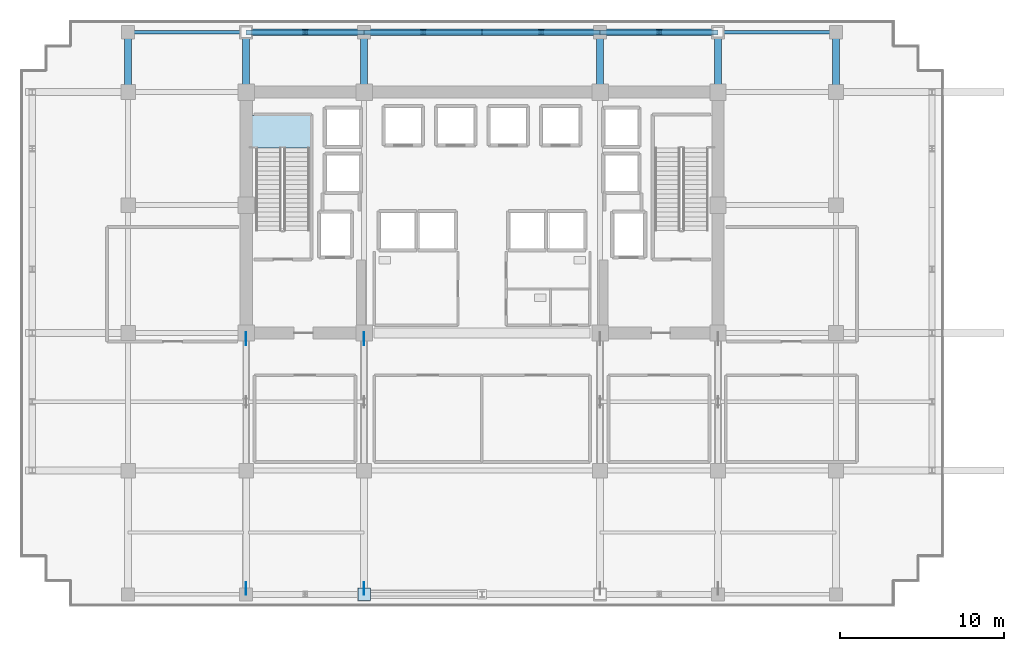
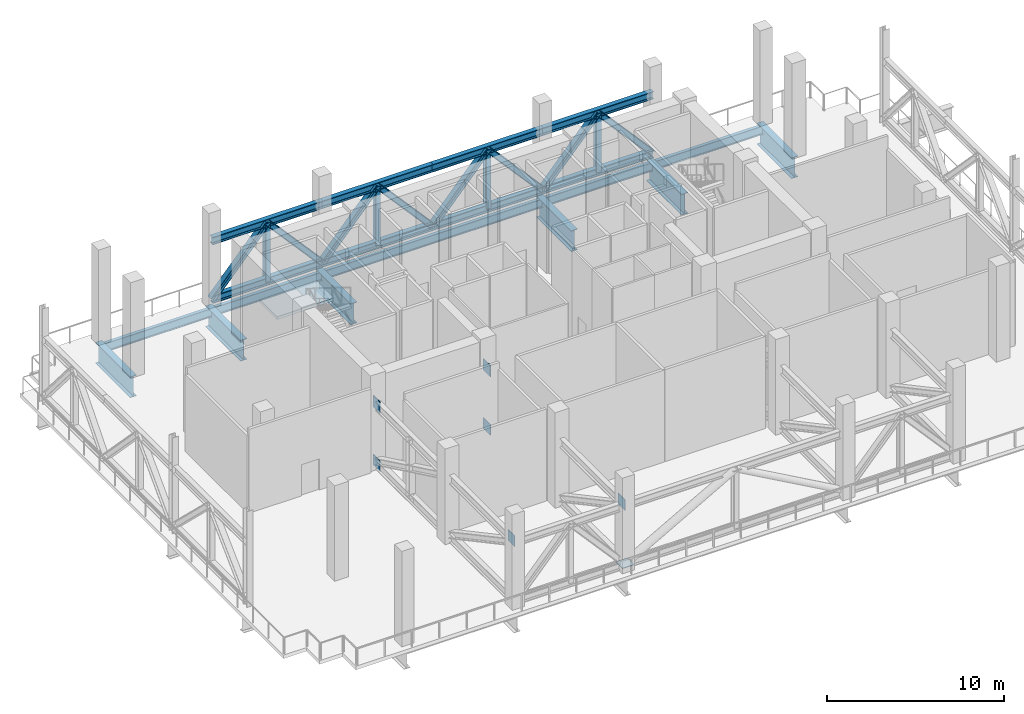
# One storey, part 5 of 15: 20 members, 11 beams, 7 plates, 1 slab, 1 element without a shape of its own.
"""IFC4 building model written with IfcOpenShell, lengths in metres."""

from ifc_helpers import new_model, si_unit, direction, frame, origin, origin_2d, place, context, subcontext, project, spatial, polyline, rectangle, i_section, outline, extrude, source, transform, mapped, material, layer, layer_set, material_profile, profile_set, type_object, element, aggregate, save


model = new_model("IFC4")

# Units and contexts
model_context = context("Model", 3, precision=1e-05, world=origin(), true_north=direction((0.0, 1.0)))
body_context = subcontext(model_context, "Body", "Model", "MODEL_VIEW")
ifc_project = project(units=[si_unit("LENGTHUNIT", "METRE"), si_unit("AREAUNIT", "SQUARE_METRE"), si_unit("VOLUMEUNIT", "CUBIC_METRE"), si_unit("PLANEANGLEUNIT", "RADIAN"), si_unit("MASSUNIT", "GRAM", prefix="KILO")], contexts=[model_context])

# Site, building, storey
site_placement = place(None, origin())
site = spatial("IfcSite", under=ifc_project, at=site_placement, CompositionType="ELEMENT")
building_placement = place(site_placement, origin())
building = spatial("IfcBuilding", under=site, at=building_placement, Name="Zarnakvel Exchange Tower", CompositionType="ELEMENT")
storey_placement = place(building_placement, frame((0.0, 0.0, 80.199951171875)))
storey = spatial("IfcBuildingStorey", under=building, at=storey_placement, Name="L22", CompositionType="ELEMENT", Elevation=80.199951171875)

# Beams
ifc_material_1 = material(Name="Steel S355", Category="steel")
ifc_material_profile_1 = material_profile(ifc_material_1, i_section(OverallWidth=0.219970703125, OverallDepth=0.60009765625, WebThickness=0.011962890625, FlangeThickness=0.01904296875, FilletRadius=0.02392578125, at=origin_2d()))
ifc_profile_set_1 = profile_set([ifc_material_profile_1], Name="Steel S355")
beam_type_1 = type_object("IfcBeamType", Name="SP-01", PredefinedType="SPANDREL", material=ifc_profile_set_1)
beam_1_placement = place(storey_placement, frame((-21.60009765625, 17.14990234375, -0.550048828125), z_axis=(1.0, 0.0, 0.0), x_axis=(0.0, 1.0, 0.0)))
element("IfcBeam", 1, at=beam_1_placement, inside=storey, type_object=beam_type_1, Name="L22 Tower E-W Frame Beam", PredefinedType="SPANDREL", context=body_context, shape_type="SweptSolid", body=[
    extrude(i_section(OverallWidth=0.219970703125, OverallDepth=0.60009765625, WebThickness=0.011962890625, FlangeThickness=0.01904296875, FilletRadius=0.02392578125, at=origin_2d()), origin(), (0.0, 0.0, 1.0), 7.2001953125),
])
beam_2_placement = place(storey_placement, frame((-14.39990234375, 17.14990234375, -0.550048828125), z_axis=(1.0, 0.0, 0.0), x_axis=(0.0, 1.0, 0.0)))
element("IfcBeam", 2, at=beam_2_placement, inside=storey, type_object=beam_type_1, Name="L22 Tower E-W Frame Beam", PredefinedType="SPANDREL", context=body_context, shape_type="SweptSolid", body=[
    extrude(i_section(OverallWidth=0.219970703125, OverallDepth=0.60009765625, WebThickness=0.011962890625, FlangeThickness=0.01904296875, FilletRadius=0.02392578125, at=origin_2d()), origin(), (0.0, 0.0, 1.0), 7.199951171875),
])
beam_3_placement = place(storey_placement, frame((-7.199951171875, 17.14990234375, -0.550048828125), z_axis=(1.0, 0.0, 0.0), x_axis=(0.0, 1.0, 0.0)))
element("IfcBeam", 3, at=beam_3_placement, inside=storey, type_object=beam_type_1, Name="L22 Tower E-W Frame Beam", PredefinedType="SPANDREL", context=body_context, shape_type="SweptSolid", body=[
    extrude(i_section(OverallWidth=0.219970703125, OverallDepth=0.60009765625, WebThickness=0.011962890625, FlangeThickness=0.01904296875, FilletRadius=0.02392578125, at=origin_2d()), origin(), (0.0, 0.0, 1.0), 14.39990234375),
])
beam_4_placement = place(storey_placement, frame((7.199951171875, 17.14990234375, -0.550048828125), z_axis=(1.0, 0.0, 0.0), x_axis=(0.0, 1.0, 0.0)))
element("IfcBeam", 4, at=beam_4_placement, inside=storey, type_object=beam_type_1, Name="L22 Tower E-W Frame Beam", PredefinedType="SPANDREL", context=body_context, shape_type="SweptSolid", body=[
    extrude(i_section(OverallWidth=0.219970703125, OverallDepth=0.60009765625, WebThickness=0.011962890625, FlangeThickness=0.01904296875, FilletRadius=0.02392578125, at=origin_2d()), origin(), (0.0, 0.0, 1.0), 7.199951171875),
])
beam_5_placement = place(storey_placement, frame((14.39990234375, 17.14990234375, -0.550048828125), z_axis=(1.0, 0.0, 0.0), x_axis=(0.0, 1.0, 0.0)))
element("IfcBeam", 5, at=beam_5_placement, inside=storey, type_object=beam_type_1, Name="L22 Tower E-W Frame Beam", PredefinedType="SPANDREL", context=body_context, shape_type="SweptSolid", body=[
    extrude(i_section(OverallWidth=0.219970703125, OverallDepth=0.60009765625, WebThickness=0.011962890625, FlangeThickness=0.01904296875, FilletRadius=0.02392578125, at=origin_2d()), origin(), (0.0, 0.0, 1.0), 7.2001953125),
])
ifc_material_2 = material(Name="Steel S460", Category="steel")
ifc_material_profile_2 = material_profile(ifc_material_2, i_section(OverallWidth=0.419921875, OverallDepth=1.449951171875, WebThickness=0.02392578125, FlangeThickness=0.0400390625, FilletRadius=0.030029296875, at=origin_2d()))
ifc_profile_set_2 = profile_set([ifc_material_profile_2], Name="Steel S460")
beam_type_2 = type_object("IfcBeamType", Name="TG-01", PredefinedType="BEAM", material=ifc_profile_set_2)
for number, where, z_axis, x_axis, name in (
    (6, (-14.39990234375, 13.5, -0.974853515625), (0.0, 1.0, 0.0), (-1.0, 0.0, 0.0), "L22 Setback N-S Transfer Girder TN-4"),
    (7, (-7.199951171875, 13.5, -0.974853515625), (0.0, 1.0, 0.0), (-1.0, 0.0, 0.0), "L22 Setback N-S Transfer Girder TN-5"),
    (8, (7.199951171875, 13.5, -0.974853515625), (0.0, 1.0, 0.0), (-1.0, 0.0, 0.0), "L22 Setback N-S Transfer Girder TN-8"),
    (9, (14.39990234375, 13.5, -0.974853515625), (0.0, 1.0, 0.0), (-1.0, 0.0, 0.0), "L22 Setback N-S Transfer Girder TN-9"),
    (10, (-21.60009765625, 13.5, -0.974853515625), (0.0, 1.0, 0.0), (-1.0, 0.0, 0.0), "L22 Setback N-S Transfer Girder TN-3"),
    (11, (21.60009765625, 13.5, -0.974853515625), (0.0, 1.0, 0.0), (-1.0, 0.0, 0.0), "L22 Setback N-S Transfer Girder TN-10"),
):
    element("IfcBeam", number, at=place(storey_placement, frame(where, z_axis=z_axis, x_axis=x_axis)), inside=storey, type_object=beam_type_2, Name=name, PredefinedType="BEAM", context=body_context, shape_type="SweptSolid", body=[
        extrude(i_section(OverallWidth=0.419921875, OverallDepth=1.449951171875, WebThickness=0.02392578125, FlangeThickness=0.0400390625, FilletRadius=0.030029296875, at=origin_2d()), origin(), (0.0, 0.0, 1.0), 3.949951171875),
    ])

# Members
ifc_material_profile_3 = material_profile(ifc_material_1, i_section(OverallWidth=0.305908203125, OverallDepth=0.52392578125, WebThickness=0.02099609375, FlangeThickness=0.0400390625, FilletRadius=0.027099609375, at=origin_2d()))
ifc_profile_set_3 = profile_set([ifc_material_profile_3], Name="Steel S355")
member_type_1 = type_object("IfcMemberType", Name="BT-02", PredefinedType="CHORD", material=ifc_profile_set_3)
shared_shape_1 = source(origin(), body_context, "Body", "SweptSolid", [
    extrude(i_section(OverallWidth=0.305908203125, OverallDepth=0.52392578125, WebThickness=0.02099609375, FlangeThickness=0.0400390625, FilletRadius=0.027099609375, at=origin_2d()), origin(), (0.0, 0.0, 1.0), 7.199951171875),
])
for number, where, z_axis, x_axis, name in (
    (12, (-14.39990234375, 17.14990234375, 0.35009765625), (1.0, 0.0, 0.0), (0.0, 1.0, 0.0), "L22 Belt Truss Bottom Chord N-W1"),
    (13, (-14.39990234375, 17.14990234375, 4.400146484375), (1.0, 0.0, 0.0), (0.0, 1.0, 0.0), "L22 Belt Truss Top Chord N-W1"),
    (14, (-7.199951171875, 17.14990234375, 0.35009765625), (1.0, 0.0, 0.0), (0.0, 1.0, 0.0), "L22 Belt Truss Bottom Chord N-C1"),
    (15, (-7.199951171875, 17.14990234375, 4.400146484375), (1.0, 0.0, 0.0), (0.0, 1.0, 0.0), "L22 Belt Truss Top Chord N-C1"),
    (16, (0.0, 17.14990234375, 0.35009765625), (1.0, 0.0, 0.0), (0.0, 1.0, 0.0), "L22 Belt Truss Bottom Chord N-C2"),
    (17, (0.0, 17.14990234375, 4.400146484375), (1.0, 0.0, 0.0), (0.0, 1.0, 0.0), "L22 Belt Truss Top Chord N-C2"),
    (18, (7.199951171875, 17.14990234375, 0.35009765625), (1.0, 0.0, 0.0), (0.0, 1.0, 0.0), "L22 Belt Truss Bottom Chord N-E1"),
    (19, (7.199951171875, 17.14990234375, 4.400146484375), (1.0, 0.0, 0.0), (0.0, 1.0, 0.0), "L22 Belt Truss Top Chord N-E1"),
):
    element("IfcMember", number, at=place(storey_placement, frame(where, z_axis=z_axis, x_axis=x_axis)), inside=storey, type_object=member_type_1, Name=name, PredefinedType="CHORD", context=body_context, shape_type="MappedRepresentation", body=[
        mapped(shared_shape_1, transform((0.0, 0.0, 0.0), x_axis=(1.0, 0.0, 0.0), y_axis=(0.0, 1.0, 0.0), z_axis=(0.0, 0.0, 1.0), scale=1.0)),
    ])
ifc_material_profile_4 = material_profile(ifc_material_1, i_section(OverallWidth=0.30908203125, OverallDepth=0.35888671875, WebThickness=0.02099609375, FlangeThickness=0.033935546875, FilletRadius=0.014892578125, at=origin_2d()))
ifc_profile_set_4 = profile_set([ifc_material_profile_4], Name="Steel S355")
member_type_2 = type_object("IfcMemberType", Name="BT-03", PredefinedType="STRUT", material=ifc_profile_set_4)
shared_shape_2 = source(origin(), body_context, "Body", "SweptSolid", [
    extrude(i_section(OverallWidth=0.30908203125, OverallDepth=0.35888671875, WebThickness=0.02099609375, FlangeThickness=0.033935546875, FilletRadius=0.014892578125, at=origin_2d()), origin(), (0.0, 0.0, 1.0), 4.050048828125),
])
for number, where, z_axis, x_axis, name in (
    (20, (-10.800048828125, 17.14990234375, 0.35009765625), (0.0, 0.0, 1.0), (1.0, 0.0, 0.0), "L22 Belt Truss Vertical Post N-W1"),
    (21, (-3.60009765625, 17.14990234375, 0.35009765625), (0.0, 0.0, 1.0), (1.0, 0.0, 0.0), "L22 Belt Truss Vertical Post N-C1"),
    (22, (3.60009765625, 17.14990234375, 0.35009765625), (0.0, 0.0, 1.0), (1.0, 0.0, 0.0), "L22 Belt Truss Vertical Post N-C2"),
    (23, (10.800048828125, 17.14990234375, 0.35009765625), (0.0, 0.0, 1.0), (1.0, 0.0, 0.0), "L22 Belt Truss Vertical Post N-E1"),
):
    element("IfcMember", number, at=place(storey_placement, frame(where, z_axis=z_axis, x_axis=x_axis)), inside=storey, type_object=member_type_2, Name=name, PredefinedType="STRUT", context=body_context, shape_type="MappedRepresentation", body=[
        mapped(shared_shape_2, transform((0.0, 0.0, 0.0), x_axis=(1.0, 0.0, 0.0), y_axis=(0.0, 1.0, 0.0), z_axis=(0.0, 0.0, 1.0), scale=1.0)),
    ])
ifc_material_profile_5 = material_profile(ifc_material_1, i_section(OverallWidth=0.3740234375, OverallDepth=0.364013671875, WebThickness=0.01806640625, FlangeThickness=0.027587890625, FilletRadius=0.014892578125, at=origin_2d()))
ifc_profile_set_5 = profile_set([ifc_material_profile_5], Name="Steel S355")
member_type_3 = type_object("IfcMemberType", Name="BT-01", PredefinedType="BRACE", material=ifc_profile_set_5)
shared_shape_3 = source(origin(), body_context, "Body", "SweptSolid", [
    extrude(i_section(OverallWidth=0.3740234375, OverallDepth=0.364013671875, WebThickness=0.01806640625, FlangeThickness=0.027587890625, FilletRadius=0.014892578125, at=origin_2d()), origin(), (0.0, 0.0, 1.0), 5.418701171875),
])
for number, where, z_axis, x_axis, name in (
    (24, (-14.39990234375, 17.14990234375, 0.35009765625), (0.664344262737, 0.0, 0.747426719196), (0.0, 1.0, 0.0), "L22 Belt Truss Chevron Left N-W1"),
    (25, (-7.199951171875, 17.14990234375, 0.35009765625), (-0.664369431748, 0.0, 0.747404347163), (0.0, -1.0, 0.0), "L22 Belt Truss Chevron Right N-W1"),
    (26, (-7.199951171875, 17.14990234375, 0.35009765625), (0.664344262737, 0.0, 0.747426719196), (0.0, 1.0, 0.0), "L22 Belt Truss Chevron Left N-C1"),
    (27, (0.0, 17.14990234375, 0.35009765625), (-0.664369431748, 0.0, 0.747404347163), (0.0, -1.0, 0.0), "L22 Belt Truss Chevron Right N-C1"),
    (28, (0.0, 17.14990234375, 0.35009765625), (0.664369431748, 0.0, 0.747404347163), (0.0, 1.0, 0.0), "L22 Belt Truss Chevron Left N-C2"),
    (29, (7.199951171875, 17.14990234375, 0.35009765625), (-0.664344262737, 0.0, 0.747426719196), (0.0, -1.0, 0.0), "L22 Belt Truss Chevron Right N-C2"),
    (30, (7.199951171875, 17.14990234375, 0.35009765625), (0.664369431748, 0.0, 0.747404347163), (0.0, 1.0, 0.0), "L22 Belt Truss Chevron Left N-E1"),
    (31, (14.39990234375, 17.14990234375, 0.35009765625), (-0.664344262737, 0.0, 0.747426719196), (0.0, -1.0, 0.0), "L22 Belt Truss Chevron Right N-E1"),
):
    element("IfcMember", number, at=place(storey_placement, frame(where, z_axis=z_axis, x_axis=x_axis)), inside=storey, type_object=member_type_3, Name=name, PredefinedType="BRACE", context=body_context, shape_type="MappedRepresentation", body=[
        mapped(shared_shape_3, transform((0.0, 0.0, 0.0), x_axis=(1.0, 0.0, 0.0), y_axis=(0.0, 1.0, 0.0), z_axis=(0.0, 0.0, 1.0), scale=1.0)),
    ])

# Stair, slab
ifc_material_3 = material(Name="Concrete C40/50", Category="concrete")
stair_type = type_object("IfcStairType", Name="STR-01", PredefinedType="HALF_TURN_STAIR", material=ifc_material_3)
stair_placement = place(storey_placement, origin())
stair = element("IfcStair", 32, at=stair_placement, inside=storey, type_object=stair_type, Name="L22 Protected Core Exit Stair ST-01", PredefinedType="HALF_TURN_STAIR")
ifc_layer_1 = layer(ifc_material_3, 0.199951171875)
ifc_layer_set_1 = layer_set([ifc_layer_1], Name="Concrete C40/50")
slab_type = type_object("IfcSlabType", Name="LDG-01", PredefinedType="LANDING", material=ifc_layer_set_1)
slab_placement = place(storey_placement, frame((0.0, 0.0, 3.10009765625)))
slab = element("IfcSlab", 33, at=slab_placement, type_object=slab_type, Name="ST-01 landing 1", PredefinedType="LANDING", context=body_context, shape_type="SweptSolid", body=[
    extrude(outline(polyline([(-14.18994140625, 10.090087890625), (-10.4599609375, 10.090087890625), (-10.4599609375, 12.080078125), (-14.18994140625, 12.080078125), (-14.18994140625, 10.090087890625)])), origin(), (0.0, 0.0, 1.0), 0.199951171875),
])
aggregate(stair, [slab])

# Plates
ifc_layer_2 = layer(ifc_material_2, 0.0380859375)
ifc_layer_set_2 = layer_set([ifc_layer_2], Name="Steel S460")
plate_type_1 = type_object("IfcPlateType", Name="ON1", PredefinedType="USERDEFINED", material=ifc_layer_set_2)
shared_shape_4 = source(origin(), body_context, "Body", "SweptSolid", [
    extrude(rectangle(XDim=0.0380859375, YDim=0.800048828125, at=origin_2d()), origin(), (0.0, 0.0, 1.0), 0.800048828125),
])
for number, where, z_axis, x_axis, name in (
    (34, (-14.39990234375, -1.550048828125, 4.0), (0.0, 0.0, 1.0), (1.0, 0.0, 0.0), "L22 Outrigger Core Upper Gusset ON1 (4)"),
    (35, (-7.199951171875, -1.550048828125, 4.0), (0.0, 0.0, 1.0), (1.0, 0.0, 0.0), "L22 Outrigger Core Upper Gusset ON1 (5)"),
):
    element("IfcPlate", number, at=place(storey_placement, frame(where, z_axis=z_axis, x_axis=x_axis)), inside=storey, type_object=plate_type_1, Name=name, ObjectType="GUSSET_PLATE", PredefinedType="USERDEFINED", context=body_context, shape_type="MappedRepresentation", body=[
        mapped(shared_shape_4, transform((0.0, 0.0, 0.0), x_axis=(1.0, 0.0, 0.0), y_axis=(0.0, 1.0, 0.0), z_axis=(0.0, 0.0, 1.0), scale=1.0)),
    ])
ifc_layer_3 = layer(ifc_material_2, 0.035888671875)
ifc_layer_set_3 = layer_set([ifc_layer_3], Name="Steel S460")
plate_type_2 = type_object("IfcPlateType", Name="ON2", PredefinedType="USERDEFINED", material=ifc_layer_set_3)
shared_shape_5 = source(origin(), body_context, "Body", "SweptSolid", [
    extrude(rectangle(XDim=0.035888671875, YDim=0.800048828125, at=origin_2d()), origin(), (0.0, 0.0, 1.0), 0.75),
])
for number, where, z_axis, x_axis, name in (
    (36, (-14.39990234375, -1.550048828125, -0.02490234375), (0.0, 0.0, 1.0), (1.0, 0.0, 0.0), "L22 Outrigger Core Lower Gusset ON2 (4)"),
    (37, (-7.199951171875, -1.550048828125, -0.02490234375), (0.0, 0.0, 1.0), (1.0, 0.0, 0.0), "L22 Outrigger Core Lower Gusset ON2 (5)"),
):
    element("IfcPlate", number, at=place(storey_placement, frame(where, z_axis=z_axis, x_axis=x_axis)), inside=storey, type_object=plate_type_2, Name=name, ObjectType="GUSSET_PLATE", PredefinedType="USERDEFINED", context=body_context, shape_type="MappedRepresentation", body=[
        mapped(shared_shape_5, transform((0.0, 0.0, 0.0), x_axis=(1.0, 0.0, 0.0), y_axis=(0.0, 1.0, 0.0), z_axis=(0.0, 0.0, 1.0), scale=1.0)),
    ])
ifc_layer_4 = layer(ifc_material_2, 0.034912109375)
ifc_layer_set_4 = layer_set([ifc_layer_4], Name="Steel S460")
plate_type_3 = type_object("IfcPlateType", Name="ON3", PredefinedType="USERDEFINED", material=ifc_layer_set_4)
shared_shape_6 = source(origin(), body_context, "Body", "SweptSolid", [
    extrude(rectangle(XDim=0.034912109375, YDim=0.75, at=origin_2d()), origin(), (0.0, 0.0, 1.0), 0.75),
])
for number, where, z_axis, x_axis, name in (
    (38, (-14.39990234375, -16.800048828125, 4.025146484375), (0.0, 0.0, 1.0), (1.0, 0.0, 0.0), "L22 Outrigger Perimeter Gusset ON3 (4)"),
    (39, (-7.199951171875, -16.800048828125, 4.025146484375), (0.0, 0.0, 1.0), (1.0, 0.0, 0.0), "L22 Outrigger Perimeter Gusset ON3 (5)"),
):
    element("IfcPlate", number, at=place(storey_placement, frame(where, z_axis=z_axis, x_axis=x_axis)), inside=storey, type_object=plate_type_3, Name=name, ObjectType="GUSSET_PLATE", PredefinedType="USERDEFINED", context=body_context, shape_type="MappedRepresentation", body=[
        mapped(shared_shape_6, transform((0.0, 0.0, 0.0), x_axis=(1.0, 0.0, 0.0), y_axis=(0.0, 1.0, 0.0), z_axis=(0.0, 0.0, 1.0), scale=1.0)),
    ])
ifc_layer_5 = layer(ifc_material_1, 0.033935546875)
ifc_layer_set_5 = layer_set([ifc_layer_5], Name="Steel S355")
plate_type_4 = type_object("IfcPlateType", Name="VN1", PredefinedType="USERDEFINED", material=ifc_layer_set_5)
shared_shape_7 = source(origin(), body_context, "Body", "SweptSolid", [
    extrude(rectangle(XDim=0.760009765625, YDim=0.760009765625, at=origin_2d()), origin(), (0.0, 0.0, 1.0), 0.033935546875),
])
plate_placement = place(storey_placement, frame((-7.199951171875, -17.14990234375, 0.3330078125), z_axis=(0.0, 0.0, 1.0), x_axis=(1.0, 0.0, 0.0)))
element("IfcPlate", 40, at=plate_placement, inside=storey, type_object=plate_type_4, Name="L22 Truss Node Gusset VN1", ObjectType="GUSSET_PLATE", PredefinedType="USERDEFINED", context=body_context, shape_type="MappedRepresentation", body=[
    mapped(shared_shape_7, transform((0.0, 0.0, 0.0), x_axis=(1.0, 0.0, 0.0), y_axis=(0.0, 1.0, 0.0), z_axis=(0.0, 0.0, 1.0), scale=1.0)),
])

save(model, "model.ifc")
